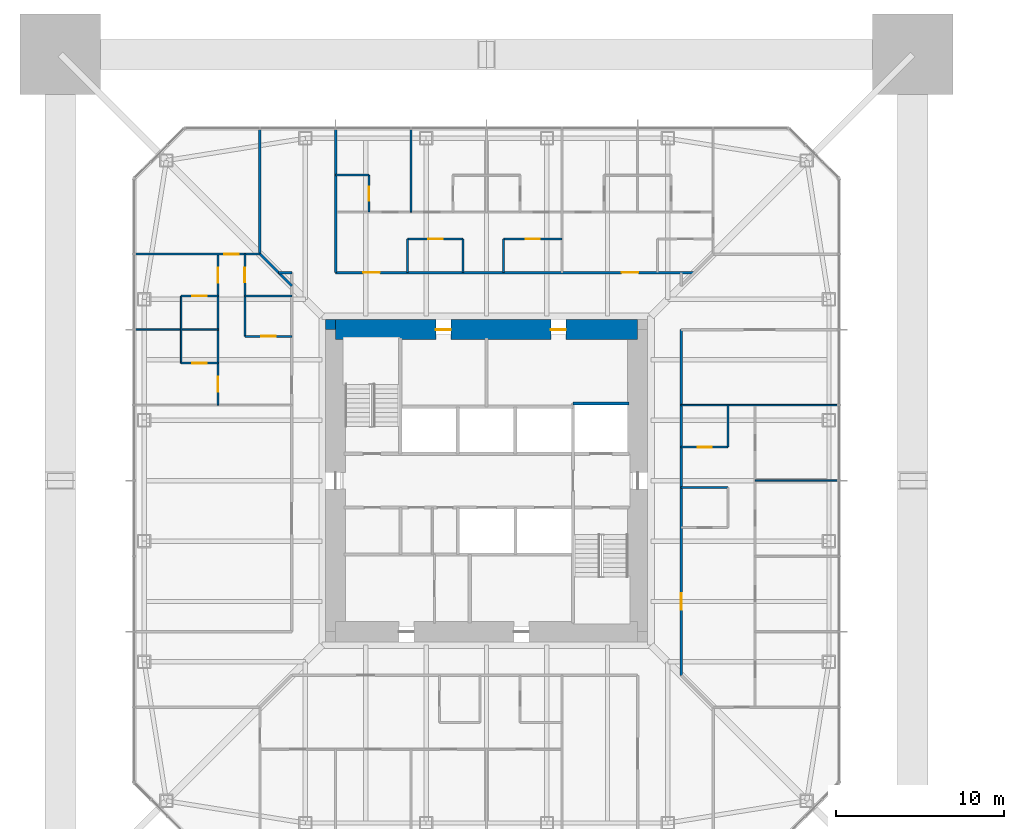
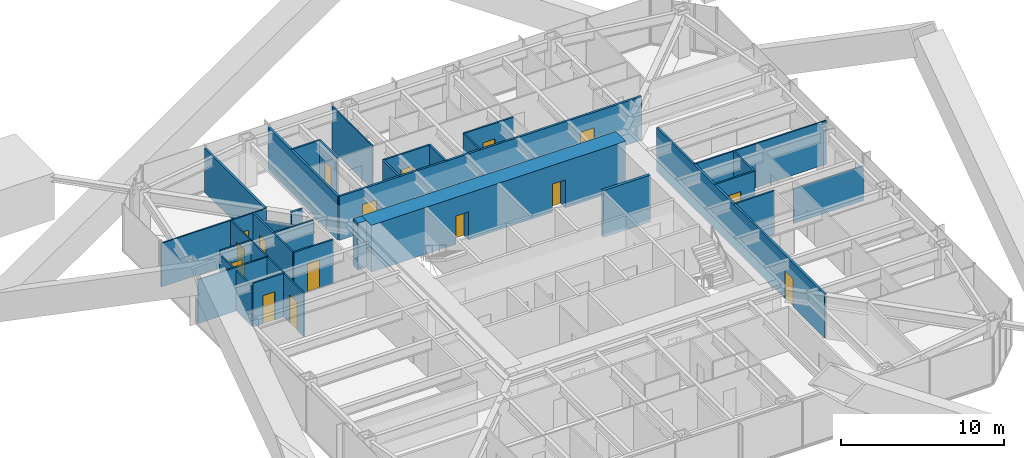
# One storey, part 16 of 26: 31 walls, 16 doors, 16 openings.
"""IFC4 building model written with IfcOpenShell, lengths in metres."""

from ifc_helpers import new_model, si_unit, direction, frame, frame_2d, origin, place, context, subcontext, project, spatial, rectangle, extrude, material, layer, layer_set, type_object, element, fill, save


model = new_model("IFC4")

# Units and contexts
model_context = context("Model", 3, precision=1e-05, world=origin(), true_north=direction((0.0, 1.0)))
body_context = subcontext(model_context, "Body", "Model", "MODEL_VIEW")
ifc_project = project(units=[si_unit("LENGTHUNIT", "METRE"), si_unit("AREAUNIT", "SQUARE_METRE"), si_unit("VOLUMEUNIT", "CUBIC_METRE"), si_unit("PLANEANGLEUNIT", "RADIAN"), si_unit("MASSUNIT", "GRAM", prefix="KILO")], contexts=[model_context])

# Site, building, storey
site_placement = place(None, origin())
site = spatial("IfcSite", under=ifc_project, at=site_placement, CompositionType="ELEMENT")
building_placement = place(site_placement, origin())
building = spatial("IfcBuilding", under=site, at=building_placement, Name="Iwan Alto Co-Living Towers", CompositionType="ELEMENT")
storey_placement = place(building_placement, frame((0.0, 0.0, 115.5)))
storey = spatial("IfcBuildingStorey", under=building, at=storey_placement, Name="L31", CompositionType="ELEMENT", Elevation=115.5)

# Wall
ifc_material_1 = material(Name="Gypsum board")
ifc_layer_1 = layer(ifc_material_1, 0.02490234375, Name="Board", Category="Finish")
ifc_material_2 = material(Name="Steel ASTM A1003 ST33H cold-formed studs", Category="steel")
ifc_layer_2 = layer(ifc_material_2, 0.10009765625, Name="Studs", Category="Framing")
ifc_layer_3 = layer(ifc_material_1, 0.02490234375, Name="Board", Category="Finish")
ifc_layer_set_1 = layer_set([ifc_layer_1, ifc_layer_2, ifc_layer_3], Name="CORRIDOR WALL 150")
wall_type_1 = type_object("IfcWallType", Name="CORRIDOR WALL 150", PredefinedType="PARTITIONING", material=ifc_layer_set_1)
wall_1_placement = place(storey_placement, frame((-12.39990234375, 12.39990234375, 0.0), z_axis=(0.0, 0.0, 1.0), x_axis=(1.0, 0.0, 0.0)))
element("IfcWall", 1, at=wall_1_placement, inside=storey, type_object=wall_type_1, Name="Partition L31", PredefinedType="PARTITIONING", context=body_context, shape_type="SweptSolid", body=[
    extrude(rectangle(XDim=0.7998046875, YDim=0.14990234375, at=frame_2d((0.39990234375, 0.0))), origin(), (0.0, 0.0, 1.0), 3.27001953125),
])

# Wall, openings, doors
wall_2_placement = place(storey_placement, frame((-9.0, 12.39990234375, 0.0), z_axis=(0.0, 0.0, 1.0), x_axis=(1.0, 0.0, 0.0)))
wall_2 = element("IfcWall", 2, at=wall_2_placement, inside=storey, type_object=wall_type_1, Name="Partition L31", PredefinedType="PARTITIONING", context=body_context, shape_type="SweptSolid", body=[
    extrude(rectangle(XDim=21.39990234375, YDim=0.14990234375, at=frame_2d((10.699951171875, 0.0))), origin(), (0.0, 0.0, 1.0), 3.27001953125),
])
opening_1_placement = place(wall_2_placement, frame((17.050048828125, 0.0, 0.0)))
opening_1 = element("IfcOpeningElement", 3, at=opening_1_placement, cuts=wall_2, Name="Opening D3", PredefinedType="OPENING", context=body_context, shape_type="SweptSolid", body=[
    extrude(rectangle(XDim=1.0, YDim=2.10009765625, at=frame_2d((0.5, 1.050048828125))), frame((0.0, 0.0849609375, 0.0), z_axis=(0.0, -1.0, 0.0), x_axis=(1.0, 0.0, 0.0)), (0.0, 0.0, 1.0), 0.169921875),
])
opening_2_placement = place(wall_2_placement, frame((1.64990234375, 0.0, 0.0)))
opening_2 = element("IfcOpeningElement", 4, at=opening_2_placement, cuts=wall_2, Name="Opening D3", PredefinedType="OPENING", context=body_context, shape_type="SweptSolid", body=[
    extrude(rectangle(XDim=1.0, YDim=2.10009765625, at=frame_2d((0.5, 1.050048828125))), frame((0.0, 0.0849609375, 0.0), z_axis=(0.0, -1.0, 0.0), x_axis=(1.0, 0.0, 0.0)), (0.0, 0.0, 1.0), 0.169921875),
])
ifc_material_3 = material(Name="Steel frame with timber leaf", Category="steel")
door_type_1 = type_object("IfcDoorType", Name="FLAT ENTRANCE DOOR FD30S 1000X2100", OperationType="SINGLE_SWING_LEFT", PredefinedType="DOOR", material=ifc_material_3)
door_1_placement = place(opening_1_placement, origin())
door_1 = element("IfcDoor", 5, at=door_1_placement, inside=storey, type_object=door_type_1, Name="Cluster lounge door L31", OperationType="SINGLE_SWING_RIGHT", OverallHeight=2.10009765625, OverallWidth=1.0, PredefinedType="DOOR", context=body_context, shape_type="SweptSolid", body=[
    extrude(rectangle(XDim=1.0, YDim=2.10009765625, at=frame_2d((0.5, 1.050048828125))), frame((0.0, 0.02490234375, 0.0), z_axis=(0.0, -1.0, 0.0), x_axis=(1.0, 0.0, 0.0)), (0.0, 0.0, 1.0), 0.050048828125),
])
fill(opening_1, door_1)
door_2_placement = place(opening_2_placement, origin())
door_2 = element("IfcDoor", 6, at=door_2_placement, inside=storey, type_object=door_type_1, Name="Cluster lounge and shared kitchen door L31", OperationType="SINGLE_SWING_LEFT", OverallHeight=2.10009765625, OverallWidth=1.0, PredefinedType="DOOR", context=body_context, shape_type="SweptSolid", body=[
    extrude(rectangle(XDim=1.0, YDim=2.10009765625, at=frame_2d((0.5, 1.050048828125))), frame((0.0, 0.02490234375, 0.0), z_axis=(0.0, -1.0, 0.0), x_axis=(1.0, 0.0, 0.0)), (0.0, 0.0, 1.0), 0.050048828125),
])
fill(opening_2, door_2)

# Wall, opening, door
wall_3_placement = place(storey_placement, frame((11.60009765625, -11.60009765625, 0.0), z_axis=(0.0, 0.0, 1.0), x_axis=(0.0, 1.0, 0.0)))
wall_3 = element("IfcWall", 7, at=wall_3_placement, inside=storey, type_object=wall_type_1, Name="Partition L31", PredefinedType="PARTITIONING", context=body_context, shape_type="SweptSolid", body=[
    extrude(rectangle(XDim=20.60009765625, YDim=0.14990234375, at=frame_2d((10.300048828125, 0.0))), origin(), (0.0, 0.0, 1.0), 3.27001953125),
])
opening_3_placement = place(wall_3_placement, frame((3.89990234375, 0.0, 0.0)))
opening_3 = element("IfcOpeningElement", 8, at=opening_3_placement, cuts=wall_3, Name="Opening D3", PredefinedType="OPENING", context=body_context, shape_type="SweptSolid", body=[
    extrude(rectangle(XDim=1.0, YDim=2.10009765625, at=frame_2d((0.5, 1.050048828125))), frame((0.0, 0.0849609375, 0.0), z_axis=(0.0, -1.0, 0.0), x_axis=(1.0, 0.0, 0.0)), (0.0, 0.0, 1.0), 0.169921875),
])
door_3_placement = place(opening_3_placement, frame((1.0, 0.0, 0.0), z_axis=(0.0, 0.0, 1.0), x_axis=(-1.0, 0.0, 0.0)))
door_3 = element("IfcDoor", 9, at=door_3_placement, inside=storey, type_object=door_type_1, Name="Cluster lounge door L31", OperationType="SINGLE_SWING_LEFT", OverallHeight=2.10009765625, OverallWidth=1.0, PredefinedType="DOOR", context=body_context, shape_type="SweptSolid", body=[
    extrude(rectangle(XDim=1.0, YDim=2.10009765625, at=frame_2d((0.5, 1.050048828125))), frame((0.0, 0.02490234375, 0.0), z_axis=(0.0, -1.0, 0.0), x_axis=(1.0, 0.0, 0.0)), (0.0, 0.0, 1.0), 0.050048828125),
])
fill(opening_3, door_3)

# Walls
wall_4_placement = place(storey_placement, frame((-9.0, 12.39990234375, 0.0), z_axis=(0.0, 0.0, 1.0), x_axis=(0.0, 1.0, 0.0)))
element("IfcWall", 10, at=wall_4_placement, inside=storey, type_object=wall_type_1, Name="Partition L31", PredefinedType="PARTITIONING", context=body_context, shape_type="SweptSolid", body=[
    extrude(rectangle(XDim=8.5400390625, YDim=0.14990234375, at=frame_2d((4.27001953125, 0.0))), origin(), (0.0, 0.0, 1.0), 3.27001953125),
])
wall_5_placement = place(storey_placement, frame((-13.5, 13.5, 0.0), z_axis=(0.0, 0.0, 1.0), x_axis=(0.0, 1.0, 0.0)))
element("IfcWall", 11, at=wall_5_placement, inside=storey, type_object=wall_type_1, Name="Partition L31", PredefinedType="PARTITIONING", context=body_context, shape_type="SweptSolid", body=[
    extrude(rectangle(XDim=7.43994140625, YDim=0.14990234375, at=frame_2d((3.719970703125, 0.0))), origin(), (0.0, 0.0, 1.0), 3.27001953125),
])
wall_6_placement = place(storey_placement, frame((-11.60009765625, 11.60009765625, 0.0), z_axis=(0.0, 0.0, 1.0), x_axis=(-0.707106781187, 0.707106781187, 0.0)))
element("IfcWall", 12, at=wall_6_placement, inside=storey, type_object=wall_type_1, Name="Partition L31", PredefinedType="PARTITIONING", context=body_context, shape_type="SweptSolid", body=[
    extrude(rectangle(XDim=2.686767578125, YDim=0.14990234375, at=frame_2d((1.34326171875, 0.0))), origin(), (0.0, 0.0, 1.0), 2.343017578125),
])
ifc_layer_4 = layer(ifc_material_1, 0.012451171875, Name="Board", Category="Finish")
ifc_layer_5 = layer(ifc_material_2, 0.074951171875, Name="Studs", Category="Framing")
ifc_layer_6 = layer(ifc_material_1, 0.012451171875, Name="Board", Category="Finish")
ifc_layer_set_2 = layer_set([ifc_layer_4, ifc_layer_5, ifc_layer_6], Name="PARTITION 100")
wall_type_2 = type_object("IfcWallType", Name="PARTITION 100", PredefinedType="PARTITIONING", material=ifc_layer_set_2)
wall_7_placement = place(storey_placement, frame((16.0, 0.0, 0.0), z_axis=(0.0, 0.0, 1.0), x_axis=(1.0, 0.0, 0.0)))
element("IfcWall", 13, at=wall_7_placement, inside=storey, type_object=wall_type_2, Name="Partition L31", PredefinedType="PARTITIONING", context=body_context, shape_type="SweptSolid", body=[
    extrude(rectangle(XDim=4.93994140625, YDim=0.10009765625, at=frame_2d((2.469970703125, 0.0))), origin(), (0.0, 0.0, 1.0), 2.586669921875),
])
wall_8_placement = place(storey_placement, frame((11.60009765625, 4.5, 0.0), z_axis=(0.0, 0.0, 1.0), x_axis=(1.0, 0.0, 0.0)))
element("IfcWall", 14, at=wall_8_placement, inside=storey, type_object=wall_type_2, Name="Partition L31", PredefinedType="PARTITIONING", context=body_context, shape_type="SweptSolid", body=[
    extrude(rectangle(XDim=9.33984375, YDim=0.10009765625, at=frame_2d((4.669921875, 0.0))), origin(), (0.0, 0.0, 1.0), 3.27001953125),
])
wall_9_placement = place(storey_placement, frame((-20.93994140625, 9.0, 0.0), z_axis=(0.0, 0.0, 1.0), x_axis=(1.0, 0.0, 0.0)))
element("IfcWall", 15, at=wall_9_placement, inside=storey, type_object=wall_type_2, Name="Partition L31", PredefinedType="PARTITIONING", context=body_context, shape_type="SweptSolid", body=[
    extrude(rectangle(XDim=4.93994140625, YDim=0.10009765625, at=frame_2d((2.469970703125, 0.0))), origin(), (0.0, 0.0, 1.0), 3.27001953125),
])

# Wall, opening, door
wall_10_placement = place(storey_placement, frame((-20.93994140625, 13.5, 0.0), z_axis=(0.0, 0.0, 1.0), x_axis=(1.0, 0.0, 0.0)))
wall_10 = element("IfcWall", 16, at=wall_10_placement, inside=storey, type_object=wall_type_2, Name="Partition L31", PredefinedType="PARTITIONING", context=body_context, shape_type="SweptSolid", body=[
    extrude(rectangle(XDim=7.43994140625, YDim=0.10009765625, at=frame_2d((3.719970703125, 0.0))), origin(), (0.0, 0.0, 1.0), 3.27001953125),
])
opening_4_placement = place(wall_10_placement, frame((5.31494140625, 0.0, 0.0)))
opening_4 = element("IfcOpeningElement", 17, at=opening_4_placement, cuts=wall_10, Name="Opening D2", PredefinedType="OPENING", context=body_context, shape_type="SweptSolid", body=[
    extrude(rectangle(XDim=0.85009765625, YDim=2.10009765625, at=frame_2d((0.425048828125, 1.050048828125))), frame((0.0, 0.06005859375, 0.0), z_axis=(0.0, -1.0, 0.0), x_axis=(1.0, 0.0, 0.0)), (0.0, 0.0, 1.0), 0.1201171875),
])
ifc_material_4 = material(Name="Timber leaf in steel frame", Category="steel")
door_type_2 = type_object("IfcDoorType", Name="ROOM DOOR 850X2100", OperationType="SINGLE_SWING_LEFT", PredefinedType="DOOR", material=ifc_material_4)
door_4_placement = place(opening_4_placement, origin())
door_4 = element("IfcDoor", 18, at=door_4_placement, inside=storey, type_object=door_type_2, Name="Shared kitchen and lounge door L31", OperationType="SINGLE_SWING_RIGHT", OverallHeight=2.10009765625, OverallWidth=0.85009765625, PredefinedType="DOOR", context=body_context, shape_type="SweptSolid", body=[
    extrude(rectangle(XDim=0.85009765625, YDim=2.10009765625, at=frame_2d((0.425048828125, 1.050048828125))), frame((0.0, 0.02490234375, 0.0), z_axis=(0.0, -1.0, 0.0), x_axis=(1.0, 0.0, 0.0)), (0.0, 0.0, 1.0), 0.050048828125),
])
fill(opening_4, door_4)

# Wall
wall_11_placement = place(storey_placement, frame((-4.5, 16.0, 0.0), z_axis=(0.0, 0.0, 1.0), x_axis=(0.0, 1.0, 0.0)))
element("IfcWall", 19, at=wall_11_placement, inside=storey, type_object=wall_type_2, Name="Partition L31", PredefinedType="PARTITIONING", context=body_context, shape_type="SweptSolid", body=[
    extrude(rectangle(XDim=4.93994140625, YDim=0.10009765625, at=frame_2d((2.469970703125, 0.0))), origin(), (0.0, 0.0, 1.0), 3.27001953125),
])

# Wall, openings, doors
wall_12_placement = place(storey_placement, frame((-16.0, 4.5, 0.0), z_axis=(0.0, 0.0, 1.0), x_axis=(0.0, 1.0, 0.0)))
wall_12 = element("IfcWall", 20, at=wall_12_placement, inside=storey, type_object=wall_type_2, Name="Partition L31", PredefinedType="PARTITIONING", context=body_context, shape_type="SweptSolid", body=[
    extrude(rectangle(XDim=9.0, YDim=0.10009765625, at=frame_2d((4.5, 0.0))), origin(), (0.0, 0.0, 1.0), 3.27001953125),
])
opening_5_placement = place(wall_12_placement, frame((7.300048828125, 0.0, 0.0)))
opening_5 = element("IfcOpeningElement", 21, at=opening_5_placement, cuts=wall_12, Name="Opening D1", PredefinedType="OPENING", context=body_context, shape_type="SweptSolid", body=[
    extrude(rectangle(XDim=0.89990234375, YDim=2.10009765625, at=frame_2d((0.449951171875, 1.050048828125))), frame((0.0, 0.06005859375, 0.0), z_axis=(0.0, -1.0, 0.0), x_axis=(1.0, 0.0, 0.0)), (0.0, 0.0, 1.0), 0.1201171875),
])
opening_6_placement = place(wall_12_placement, frame((0.800048828125, 0.0, 0.0)))
opening_6 = element("IfcOpeningElement", 22, at=opening_6_placement, cuts=wall_12, Name="Opening D1", PredefinedType="OPENING", context=body_context, shape_type="SweptSolid", body=[
    extrude(rectangle(XDim=0.89990234375, YDim=2.10009765625, at=frame_2d((0.449951171875, 1.050048828125))), frame((0.0, 0.06005859375, 0.0), z_axis=(0.0, -1.0, 0.0), x_axis=(1.0, 0.0, 0.0)), (0.0, 0.0, 1.0), 0.1201171875),
])
ifc_material_5 = material(Name="Timber leaf in steel frame", Category="steel")
door_type_3 = type_object("IfcDoorType", Name="BEDROOM DOOR 900X2100", OperationType="SINGLE_SWING_LEFT", PredefinedType="DOOR", material=ifc_material_5)
door_5_placement = place(opening_5_placement, frame((0.89990234375, 0.0, 0.0), z_axis=(0.0, 0.0, 1.0), x_axis=(-1.0, 0.0, 0.0)))
door_5 = element("IfcDoor", 23, at=door_5_placement, inside=storey, type_object=door_type_3, Name="Study bedroom door L31", OperationType="SINGLE_SWING_LEFT", OverallHeight=2.10009765625, OverallWidth=0.89990234375, PredefinedType="DOOR", context=body_context, shape_type="SweptSolid", body=[
    extrude(rectangle(XDim=0.89990234375, YDim=2.10009765625, at=frame_2d((0.449951171875, 1.050048828125))), frame((0.0, 0.02490234375, 0.0), z_axis=(0.0, -1.0, 0.0), x_axis=(1.0, 0.0, 0.0)), (0.0, 0.0, 1.0), 0.050048828125),
])
fill(opening_5, door_5)
door_6_placement = place(opening_6_placement, frame((0.89990234375, 0.0, 0.0), z_axis=(0.0, 0.0, 1.0), x_axis=(-1.0, 0.0, 0.0)))
door_6 = element("IfcDoor", 24, at=door_6_placement, inside=storey, type_object=door_type_3, Name="Study bedroom door L31", OperationType="SINGLE_SWING_RIGHT", OverallHeight=2.10009765625, OverallWidth=0.89990234375, PredefinedType="DOOR", context=body_context, shape_type="SweptSolid", body=[
    extrude(rectangle(XDim=0.89990234375, YDim=2.10009765625, at=frame_2d((0.449951171875, 1.050048828125))), frame((0.0, 0.02490234375, 0.0), z_axis=(0.0, -1.0, 0.0), x_axis=(1.0, 0.0, 0.0)), (0.0, 0.0, 1.0), 0.050048828125),
])
fill(opening_6, door_6)

# Walls
wall_13_placement = place(storey_placement, frame((-18.199951171875, 7.0, 0.0), z_axis=(0.0, 0.0, 1.0), x_axis=(0.0, 1.0, 0.0)))
element("IfcWall", 25, at=wall_13_placement, inside=storey, type_object=wall_type_2, Name="Partition L31", PredefinedType="PARTITIONING", context=body_context, shape_type="SweptSolid", body=[
    extrude(rectangle(XDim=4.0, YDim=0.10009765625, at=frame_2d((2.0, 0.0))), origin(), (0.0, 0.0, 1.0), 3.0),
])
ifc_material_6 = material(Name="Concrete f'c 70 MPa", Category="concrete")
ifc_layer_7 = layer(ifc_material_6, 0.199951171875)
ifc_layer_set_3 = layer_set([ifc_layer_7], Name="SHAFT WALL 200")
wall_type_3 = type_object("IfcWallType", Name="SHAFT WALL 200", PredefinedType="SOLIDWALL", material=ifc_layer_set_3)
wall_14_placement = place(storey_placement, frame((5.14990234375, 4.60009765625, 0.0), z_axis=(0.0, 0.0, 1.0), x_axis=(1.0, 0.0, 0.0)))
element("IfcWall", 26, at=wall_14_placement, inside=storey, type_object=wall_type_3, Name="Shaft wall L31", PredefinedType="SOLIDWALL", context=body_context, shape_type="SweptSolid", body=[
    extrude(rectangle(XDim=3.340087890625, YDim=0.199951171875, at=frame_2d((1.669921875, 0.0))), origin(), (0.0, 0.0, 1.0), 3.5),
])
ifc_material_7 = material(Name="Concrete f'c 70 MPa", Category="concrete")
ifc_layer_8 = layer(ifc_material_7, 0.60009765625)
ifc_layer_set_4 = layer_set([ifc_layer_8], Name="T1 CORE CORNER FILL 600")
wall_type_4 = type_object("IfcWallType", Name="T1 CORE CORNER FILL 600", PredefinedType="SOLIDWALL", material=ifc_layer_set_4)
wall_15_placement = place(storey_placement, frame((-9.60009765625, 9.300048828125, 0.0), z_axis=(0.0, 0.0, 1.0), x_axis=(1.0, 0.0, 0.0)))
element("IfcWall", 27, at=wall_15_placement, inside=storey, type_object=wall_type_4, Name="T1 core corner NW L31", PredefinedType="SOLIDWALL", context=body_context, shape_type="SweptSolid", body=[
    extrude(rectangle(XDim=0.60009765625, YDim=0.60009765625, at=frame_2d((0.300048828125, 0.0))), origin(), (0.0, 0.0, 1.0), 3.5),
])

# Wall, openings, doors
ifc_material_8 = material(Name="Concrete f'c 70 MPa", Category="concrete")
ifc_layer_9 = layer(ifc_material_8, 1.199951171875)
ifc_layer_set_5 = layer_set([ifc_layer_9], Name="T1 CORE WALL 1200")
wall_type_5 = type_object("IfcWallType", Name="T1 CORE WALL 1200", PredefinedType="SHEAR", material=ifc_layer_set_5)
wall_16_placement = place(storey_placement, frame((9.0, 9.0, 0.0), z_axis=(0.0, 0.0, 1.0), x_axis=(-1.0, 0.0, 0.0)))
wall_16 = element("IfcWall", 28, at=wall_16_placement, inside=storey, type_object=wall_type_5, Name="T1 core wall N L31", PredefinedType="SHEAR", context=body_context, shape_type="SweptSolid", body=[
    extrude(rectangle(XDim=18.0, YDim=1.199951171875, at=frame_2d((9.0, 0.0))), origin(), (0.0, 0.0, 1.0), 3.5),
])
opening_7_placement = place(wall_16_placement, frame((11.125, 0.0, 0.0)))
opening_7 = element("IfcOpeningElement", 29, at=opening_7_placement, cuts=wall_16, Name="Opening D8", PredefinedType="OPENING", context=body_context, shape_type="SweptSolid", body=[
    extrude(rectangle(XDim=0.89990234375, YDim=2.10009765625, at=frame_2d((0.449951171875, 1.050048828125))), frame((0.0, 0.60986328125, 0.0), z_axis=(0.0, -1.0, 0.0), x_axis=(1.0, 0.0, 0.0)), (0.0, 0.0, 1.0), 1.219970703125),
])
opening_8_placement = place(wall_16_placement, frame((4.27490234375, 0.0, 0.0)))
opening_8 = element("IfcOpeningElement", 30, at=opening_8_placement, cuts=wall_16, Name="Opening D8", PredefinedType="OPENING", context=body_context, shape_type="SweptSolid", body=[
    extrude(rectangle(XDim=0.89990234375, YDim=2.10009765625, at=frame_2d((0.449951171875, 1.050048828125))), frame((0.0, 0.60986328125, 0.0), z_axis=(0.0, -1.0, 0.0), x_axis=(1.0, 0.0, 0.0)), (0.0, 0.0, 1.0), 1.219970703125),
])
ifc_material_9 = material(Name="Steel frame with timber leaf", Category="steel")
door_type_4 = type_object("IfcDoorType", Name="RISER DOOR FD120 900X2100", OperationType="SINGLE_SWING_LEFT", PredefinedType="DOOR", material=ifc_material_9)
door_7_placement = place(opening_7_placement, origin())
door_7 = element("IfcDoor", 31, at=door_7_placement, inside=storey, type_object=door_type_4, Name="Electrical riser core door L31", OperationType="SINGLE_SWING_RIGHT", OverallHeight=2.10009765625, OverallWidth=0.89990234375, PredefinedType="DOOR", context=body_context, shape_type="SweptSolid", body=[
    extrude(rectangle(XDim=0.89990234375, YDim=2.10009765625, at=frame_2d((0.449951171875, 1.050048828125))), frame((0.0, 0.02490234375, 0.0), z_axis=(0.0, -1.0, 0.0), x_axis=(1.0, 0.0, 0.0)), (0.0, 0.0, 1.0), 0.050048828125),
])
fill(opening_7, door_7)
door_8_placement = place(opening_8_placement, origin())
door_8 = element("IfcDoor", 32, at=door_8_placement, inside=storey, type_object=door_type_4, Name="Water and drainage riser core door L31", OperationType="SINGLE_SWING_RIGHT", OverallHeight=2.10009765625, OverallWidth=0.89990234375, PredefinedType="DOOR", context=body_context, shape_type="SweptSolid", body=[
    extrude(rectangle(XDim=0.89990234375, YDim=2.10009765625, at=frame_2d((0.449951171875, 1.050048828125))), frame((0.0, 0.02490234375, 0.0), z_axis=(0.0, -1.0, 0.0), x_axis=(1.0, 0.0, 0.0)), (0.0, 0.0, 1.0), 0.050048828125),
])
fill(opening_8, door_8)

# Wall
ifc_material_10 = material(Name="Cement board")
ifc_layer_10 = layer(ifc_material_10, 0.012451171875, Name="Board", Category="Finish")
ifc_layer_11 = layer(ifc_material_2, 0.094970703125, Name="Studs", Category="Framing")
ifc_layer_12 = layer(ifc_material_10, 0.012451171875, Name="Board", Category="Finish")
ifc_layer_set_6 = layer_set([ifc_layer_10, ifc_layer_11, ifc_layer_12], Name="WET AREA PARTITION 120")
wall_type_6 = type_object("IfcWallType", Name="WET AREA PARTITION 120", PredefinedType="PARTITIONING", material=ifc_layer_set_6)
wall_17_placement = place(storey_placement, frame((11.60009765625, -0.39990234375, 0.0), z_axis=(0.0, 0.0, 1.0), x_axis=(1.0, 0.0, 0.0)))
element("IfcWall", 33, at=wall_17_placement, inside=storey, type_object=wall_type_6, Name="Partition L31", PredefinedType="PARTITIONING", context=body_context, shape_type="SweptSolid", body=[
    extrude(rectangle(XDim=2.7998046875, YDim=0.1201171875, at=frame_2d((1.39990234375, 0.0))), origin(), (0.0, 0.0, 1.0), 3.27001953125),
])

# Wall, opening, door
wall_18_placement = place(storey_placement, frame((11.60009765625, 2.0, 0.0), z_axis=(0.0, 0.0, 1.0), x_axis=(1.0, 0.0, 0.0)))
wall_18 = element("IfcWall", 34, at=wall_18_placement, inside=storey, type_object=wall_type_6, Name="Partition L31", PredefinedType="PARTITIONING", context=body_context, shape_type="SweptSolid", body=[
    extrude(rectangle(XDim=2.7998046875, YDim=0.1201171875, at=frame_2d((1.39990234375, 0.0))), origin(), (0.0, 0.0, 1.0), 3.27001953125),
])
opening_9_placement = place(wall_18_placement, frame((0.97509765625, 0.0, 0.0)))
opening_9 = element("IfcOpeningElement", 35, at=opening_9_placement, cuts=wall_18, Name="Opening D2", PredefinedType="OPENING", context=body_context, shape_type="SweptSolid", body=[
    extrude(rectangle(XDim=0.85009765625, YDim=2.10009765625, at=frame_2d((0.425048828125, 1.050048828125))), frame((0.0, 0.070068359375, 0.0), z_axis=(0.0, -1.0, 0.0), x_axis=(1.0, 0.0, 0.0)), (0.0, 0.0, 1.0), 0.14013671875),
])
door_9_placement = place(opening_9_placement, frame((0.85009765625, 0.0, 0.0), z_axis=(0.0, 0.0, 1.0), x_axis=(-1.0, 0.0, 0.0)))
door_9 = element("IfcDoor", 36, at=door_9_placement, inside=storey, type_object=door_type_2, Name="Laundry door L31", OperationType="SINGLE_SWING_RIGHT", OverallHeight=2.10009765625, OverallWidth=0.85009765625, PredefinedType="DOOR", context=body_context, shape_type="SweptSolid", body=[
    extrude(rectangle(XDim=0.85009765625, YDim=2.10009765625, at=frame_2d((0.425048828125, 1.050048828125))), frame((0.0, 0.02490234375, 0.0), z_axis=(0.0, -1.0, 0.0), x_axis=(1.0, 0.0, 0.0)), (0.0, 0.0, 1.0), 0.050048828125),
])
fill(opening_9, door_9)

wall_19_placement = place(storey_placement, frame((-18.199951171875, 7.0, 0.0), z_axis=(0.0, 0.0, 1.0), x_axis=(1.0, 0.0, 0.0)))
wall_19 = element("IfcWall", 37, at=wall_19_placement, inside=storey, type_object=wall_type_6, Name="Partition L31", PredefinedType="PARTITIONING", context=body_context, shape_type="SweptSolid", body=[
    extrude(rectangle(XDim=2.199951171875, YDim=0.1201171875, at=frame_2d((1.10009765625, 0.0))), origin(), (0.0, 0.0, 1.0), 3.27001953125),
])
opening_10_placement = place(wall_19_placement, frame((0.675048828125, 0.0, 0.0)))
opening_10 = element("IfcOpeningElement", 38, at=opening_10_placement, cuts=wall_19, Name="Opening D2", PredefinedType="OPENING", context=body_context, shape_type="SweptSolid", body=[
    extrude(rectangle(XDim=0.85009765625, YDim=2.10009765625, at=frame_2d((0.425048828125, 1.050048828125))), frame((0.0, 0.070068359375, 0.0), z_axis=(0.0, -1.0, 0.0), x_axis=(1.0, 0.0, 0.0)), (0.0, 0.0, 1.0), 0.14013671875),
])
door_10_placement = place(opening_10_placement, frame((0.85009765625, 0.0, 0.0), z_axis=(0.0, 0.0, 1.0), x_axis=(-1.0, 0.0, 0.0)))
door_10 = element("IfcDoor", 39, at=door_10_placement, inside=storey, type_object=door_type_2, Name="En-suite shower room door L31", OperationType="SINGLE_SWING_LEFT", OverallHeight=2.10009765625, OverallWidth=0.85009765625, PredefinedType="DOOR", context=body_context, shape_type="SweptSolid", body=[
    extrude(rectangle(XDim=0.85009765625, YDim=2.10009765625, at=frame_2d((0.425048828125, 1.050048828125))), frame((0.0, 0.02490234375, 0.0), z_axis=(0.0, -1.0, 0.0), x_axis=(1.0, 0.0, 0.0)), (0.0, 0.0, 1.0), 0.050048828125),
])
fill(opening_10, door_10)

wall_20_placement = place(storey_placement, frame((-14.39990234375, 8.60009765625, 0.0), z_axis=(0.0, 0.0, 1.0), x_axis=(1.0, 0.0, 0.0)))
wall_20 = element("IfcWall", 40, at=wall_20_placement, inside=storey, type_object=wall_type_6, Name="Partition L31", PredefinedType="PARTITIONING", context=body_context, shape_type="SweptSolid", body=[
    extrude(rectangle(XDim=2.7998046875, YDim=0.1201171875, at=frame_2d((1.39990234375, 0.0))), origin(), (0.0, 0.0, 1.0), 3.27001953125),
])
opening_11_placement = place(wall_20_placement, frame((0.97509765625, 0.0, 0.0)))
opening_11 = element("IfcOpeningElement", 41, at=opening_11_placement, cuts=wall_20, Name="Opening D2", PredefinedType="OPENING", context=body_context, shape_type="SweptSolid", body=[
    extrude(rectangle(XDim=0.85009765625, YDim=2.10009765625, at=frame_2d((0.425048828125, 1.050048828125))), frame((0.0, 0.070068359375, 0.0), z_axis=(0.0, -1.0, 0.0), x_axis=(1.0, 0.0, 0.0)), (0.0, 0.0, 1.0), 0.14013671875),
])
door_11_placement = place(opening_11_placement, frame((0.85009765625, 0.0, 0.0), z_axis=(0.0, 0.0, 1.0), x_axis=(-1.0, 0.0, 0.0)))
door_11 = element("IfcDoor", 42, at=door_11_placement, inside=storey, type_object=door_type_2, Name="Accessible bathroom door L31", OperationType="SINGLE_SWING_LEFT", OverallHeight=2.10009765625, OverallWidth=0.85009765625, PredefinedType="DOOR", context=body_context, shape_type="SweptSolid", body=[
    extrude(rectangle(XDim=0.85009765625, YDim=2.10009765625, at=frame_2d((0.425048828125, 1.050048828125))), frame((0.0, 0.02490234375, 0.0), z_axis=(0.0, -1.0, 0.0), x_axis=(1.0, 0.0, 0.0)), (0.0, 0.0, 1.0), 0.050048828125),
])
fill(opening_11, door_11)

wall_21_placement = place(storey_placement, frame((-18.199951171875, 11.0, 0.0), z_axis=(0.0, 0.0, 1.0), x_axis=(1.0, 0.0, 0.0)))
wall_21 = element("IfcWall", 43, at=wall_21_placement, inside=storey, type_object=wall_type_6, Name="Partition L31", PredefinedType="PARTITIONING", context=body_context, shape_type="SweptSolid", body=[
    extrude(rectangle(XDim=2.199951171875, YDim=0.1201171875, at=frame_2d((1.10009765625, 0.0))), origin(), (0.0, 0.0, 1.0), 3.27001953125),
])
opening_12_placement = place(wall_21_placement, frame((0.675048828125, 0.0, 0.0)))
opening_12 = element("IfcOpeningElement", 44, at=opening_12_placement, cuts=wall_21, Name="Opening D2", PredefinedType="OPENING", context=body_context, shape_type="SweptSolid", body=[
    extrude(rectangle(XDim=0.85009765625, YDim=2.10009765625, at=frame_2d((0.425048828125, 1.050048828125))), frame((0.0, 0.070068359375, 0.0), z_axis=(0.0, -1.0, 0.0), x_axis=(1.0, 0.0, 0.0)), (0.0, 0.0, 1.0), 0.14013671875),
])
door_12_placement = place(opening_12_placement, origin())
door_12 = element("IfcDoor", 45, at=door_12_placement, inside=storey, type_object=door_type_2, Name="En-suite shower room door L31", OperationType="SINGLE_SWING_RIGHT", OverallHeight=2.10009765625, OverallWidth=0.85009765625, PredefinedType="DOOR", context=body_context, shape_type="SweptSolid", body=[
    extrude(rectangle(XDim=0.85009765625, YDim=2.10009765625, at=frame_2d((0.425048828125, 1.050048828125))), frame((0.0, 0.02490234375, 0.0), z_axis=(0.0, -1.0, 0.0), x_axis=(1.0, 0.0, 0.0)), (0.0, 0.0, 1.0), 0.050048828125),
])
fill(opening_12, door_12)

# Wall
wall_22_placement = place(storey_placement, frame((-14.39990234375, 11.0, 0.0), z_axis=(0.0, 0.0, 1.0), x_axis=(1.0, 0.0, 0.0)))
element("IfcWall", 46, at=wall_22_placement, inside=storey, type_object=wall_type_6, Name="Partition L31", PredefinedType="PARTITIONING", context=body_context, shape_type="SweptSolid", body=[
    extrude(rectangle(XDim=2.7998046875, YDim=0.1201171875, at=frame_2d((1.39990234375, 0.0))), origin(), (0.0, 0.0, 1.0), 3.27001953125),
])

# Wall, opening, door
wall_23_placement = place(storey_placement, frame((-4.699951171875, 14.39990234375, 0.0), z_axis=(0.0, 0.0, 1.0), x_axis=(1.0, 0.0, 0.0)))
wall_23 = element("IfcWall", 47, at=wall_23_placement, inside=storey, type_object=wall_type_6, Name="Partition L31", PredefinedType="PARTITIONING", context=body_context, shape_type="SweptSolid", body=[
    extrude(rectangle(XDim=3.300048828125, YDim=0.1201171875, at=frame_2d((1.64990234375, 0.0))), origin(), (0.0, 0.0, 1.0), 3.27001953125),
])
opening_13_placement = place(wall_23_placement, frame((1.22509765625, 0.0, 0.0)))
opening_13 = element("IfcOpeningElement", 48, at=opening_13_placement, cuts=wall_23, Name="Opening D2", PredefinedType="OPENING", context=body_context, shape_type="SweptSolid", body=[
    extrude(rectangle(XDim=0.85009765625, YDim=2.10009765625, at=frame_2d((0.425048828125, 1.050048828125))), frame((0.0, 0.070068359375, 0.0), z_axis=(0.0, -1.0, 0.0), x_axis=(1.0, 0.0, 0.0)), (0.0, 0.0, 1.0), 0.14013671875),
])
door_13_placement = place(opening_13_placement, origin())
door_13 = element("IfcDoor", 49, at=door_13_placement, inside=storey, type_object=door_type_2, Name="Accessible bathroom door L31", OperationType="SINGLE_SWING_LEFT", OverallHeight=2.10009765625, OverallWidth=0.85009765625, PredefinedType="DOOR", context=body_context, shape_type="SweptSolid", body=[
    extrude(rectangle(XDim=0.85009765625, YDim=2.10009765625, at=frame_2d((0.425048828125, 1.050048828125))), frame((0.0, 0.02490234375, 0.0), z_axis=(0.0, -1.0, 0.0), x_axis=(1.0, 0.0, 0.0)), (0.0, 0.0, 1.0), 0.050048828125),
])
fill(opening_13, door_13)

wall_24_placement = place(storey_placement, frame((1.0, 14.39990234375, 0.0), z_axis=(0.0, 0.0, 1.0), x_axis=(1.0, 0.0, 0.0)))
wall_24 = element("IfcWall", 50, at=wall_24_placement, inside=storey, type_object=wall_type_6, Name="Partition L31", PredefinedType="PARTITIONING", context=body_context, shape_type="SweptSolid", body=[
    extrude(rectangle(XDim=3.5, YDim=0.1201171875, at=frame_2d((1.75, 0.0))), origin(), (0.0, 0.0, 1.0), 3.27001953125),
])
opening_14_placement = place(wall_24_placement, frame((1.324951171875, 0.0, 0.0)))
opening_14 = element("IfcOpeningElement", 51, at=opening_14_placement, cuts=wall_24, Name="Opening D2", PredefinedType="OPENING", context=body_context, shape_type="SweptSolid", body=[
    extrude(rectangle(XDim=0.85009765625, YDim=2.10009765625, at=frame_2d((0.425048828125, 1.050048828125))), frame((0.0, 0.070068359375, 0.0), z_axis=(0.0, -1.0, 0.0), x_axis=(1.0, 0.0, 0.0)), (0.0, 0.0, 1.0), 0.14013671875),
])
door_14_placement = place(opening_14_placement, origin())
door_14 = element("IfcDoor", 52, at=door_14_placement, inside=storey, type_object=door_type_2, Name="Laundry door L31", OperationType="SINGLE_SWING_RIGHT", OverallHeight=2.10009765625, OverallWidth=0.85009765625, PredefinedType="DOOR", context=body_context, shape_type="SweptSolid", body=[
    extrude(rectangle(XDim=0.85009765625, YDim=2.10009765625, at=frame_2d((0.425048828125, 1.050048828125))), frame((0.0, 0.02490234375, 0.0), z_axis=(0.0, -1.0, 0.0), x_axis=(1.0, 0.0, 0.0)), (0.0, 0.0, 1.0), 0.050048828125),
])
fill(opening_14, door_14)

# Walls
wall_25_placement = place(storey_placement, frame((-9.0, 18.199951171875, 0.0), z_axis=(0.0, 0.0, 1.0), x_axis=(1.0, 0.0, 0.0)))
element("IfcWall", 53, at=wall_25_placement, inside=storey, type_object=wall_type_6, Name="Partition L31", PredefinedType="PARTITIONING", context=body_context, shape_type="SweptSolid", body=[
    extrude(rectangle(XDim=2.0, YDim=0.1201171875, at=frame_2d((1.0, 0.0))), origin(), (0.0, 0.0, 1.0), 3.27001953125),
])
wall_26_placement = place(storey_placement, frame((14.39990234375, 2.0, 0.0), z_axis=(0.0, 0.0, 1.0), x_axis=(0.0, 1.0, 0.0)))
element("IfcWall", 54, at=wall_26_placement, inside=storey, type_object=wall_type_6, Name="Partition L31", PredefinedType="PARTITIONING", context=body_context, shape_type="SweptSolid", body=[
    extrude(rectangle(XDim=2.5, YDim=0.1201171875, at=frame_2d((1.25, 0.0))), origin(), (0.0, 0.0, 1.0), 3.27001953125),
])
for number, where, z_axis, x_axis, name in (
    (55, (1.0, 12.39990234375, 0.0), (0.0, 0.0, 1.0), (0.0, 1.0, 0.0), "Partition L31"),
    (56, (-1.39990234375, 12.39990234375, 0.0), (0.0, 0.0, 1.0), (0.0, 1.0, 0.0), "Partition L31"),
    (57, (-4.699951171875, 12.39990234375, 0.0), (0.0, 0.0, 1.0), (0.0, 1.0, 0.0), "Partition L31"),
):
    element("IfcWall", number, at=place(storey_placement, frame(where, z_axis=z_axis, x_axis=x_axis)), inside=storey, type_object=wall_type_6, Name=name, PredefinedType="PARTITIONING", context=body_context, shape_type="SweptSolid", body=[
        extrude(rectangle(XDim=2.0, YDim=0.1201171875, at=frame_2d((1.0, 0.0))), origin(), (0.0, 0.0, 1.0), 3.27001953125),
    ])

# Wall, opening, door
wall_27_placement = place(storey_placement, frame((-7.0, 16.0, 0.0), z_axis=(0.0, 0.0, 1.0), x_axis=(0.0, 1.0, 0.0)))
wall_27 = element("IfcWall", 58, at=wall_27_placement, inside=storey, type_object=wall_type_6, Name="Partition L31", PredefinedType="PARTITIONING", context=body_context, shape_type="SweptSolid", body=[
    extrude(rectangle(XDim=2.199951171875, YDim=0.1201171875, at=frame_2d((1.10009765625, 0.0))), origin(), (0.0, 0.0, 1.0), 3.27001953125),
])
opening_15_placement = place(wall_27_placement, frame((0.675048828125, 0.0, 0.0)))
opening_15 = element("IfcOpeningElement", 59, at=opening_15_placement, cuts=wall_27, Name="Opening D2", PredefinedType="OPENING", context=body_context, shape_type="SweptSolid", body=[
    extrude(rectangle(XDim=0.85009765625, YDim=2.10009765625, at=frame_2d((0.425048828125, 1.050048828125))), frame((0.0, 0.070068359375, 0.0), z_axis=(0.0, -1.0, 0.0), x_axis=(1.0, 0.0, 0.0)), (0.0, 0.0, 1.0), 0.14013671875),
])
door_15_placement = place(opening_15_placement, frame((0.85009765625, 0.0, 0.0), z_axis=(0.0, 0.0, 1.0), x_axis=(-1.0, 0.0, 0.0)))
door_15 = element("IfcDoor", 60, at=door_15_placement, inside=storey, type_object=door_type_2, Name="En-suite shower room door L31", OperationType="SINGLE_SWING_RIGHT", OverallHeight=2.10009765625, OverallWidth=0.85009765625, PredefinedType="DOOR", context=body_context, shape_type="SweptSolid", body=[
    extrude(rectangle(XDim=0.85009765625, YDim=2.10009765625, at=frame_2d((0.425048828125, 1.050048828125))), frame((0.0, 0.02490234375, 0.0), z_axis=(0.0, -1.0, 0.0), x_axis=(1.0, 0.0, 0.0)), (0.0, 0.0, 1.0), 0.050048828125),
])
fill(opening_15, door_15)

wall_28_placement = place(storey_placement, frame((-14.39990234375, 8.60009765625, 0.0), z_axis=(0.0, 0.0, 1.0), x_axis=(0.0, 1.0, 0.0)))
wall_28 = element("IfcWall", 61, at=wall_28_placement, inside=storey, type_object=wall_type_6, Name="Partition L31", PredefinedType="PARTITIONING", context=body_context, shape_type="SweptSolid", body=[
    extrude(rectangle(XDim=4.89990234375, YDim=0.1201171875, at=frame_2d((2.449951171875, 0.0))), origin(), (0.0, 0.0, 1.0), 3.27001953125),
])
opening_16_placement = place(wall_28_placement, frame((3.22509765625, 0.0, 0.0)))
opening_16 = element("IfcOpeningElement", 62, at=opening_16_placement, cuts=wall_28, Name="Opening D2", PredefinedType="OPENING", context=body_context, shape_type="SweptSolid", body=[
    extrude(rectangle(XDim=0.85009765625, YDim=2.10009765625, at=frame_2d((0.425048828125, 1.050048828125))), frame((0.0, 0.070068359375, 0.0), z_axis=(0.0, -1.0, 0.0), x_axis=(1.0, 0.0, 0.0)), (0.0, 0.0, 1.0), 0.14013671875),
])
door_16_placement = place(opening_16_placement, origin())
door_16 = element("IfcDoor", 63, at=door_16_placement, inside=storey, type_object=door_type_2, Name="Laundry door L31", OperationType="SINGLE_SWING_RIGHT", OverallHeight=2.10009765625, OverallWidth=0.85009765625, PredefinedType="DOOR", context=body_context, shape_type="SweptSolid", body=[
    extrude(rectangle(XDim=0.85009765625, YDim=2.10009765625, at=frame_2d((0.425048828125, 1.050048828125))), frame((0.0, 0.02490234375, 0.0), z_axis=(0.0, -1.0, 0.0), x_axis=(1.0, 0.0, 0.0)), (0.0, 0.0, 1.0), 0.050048828125),
])
fill(opening_16, door_16)

save(model, "model.ifc")
